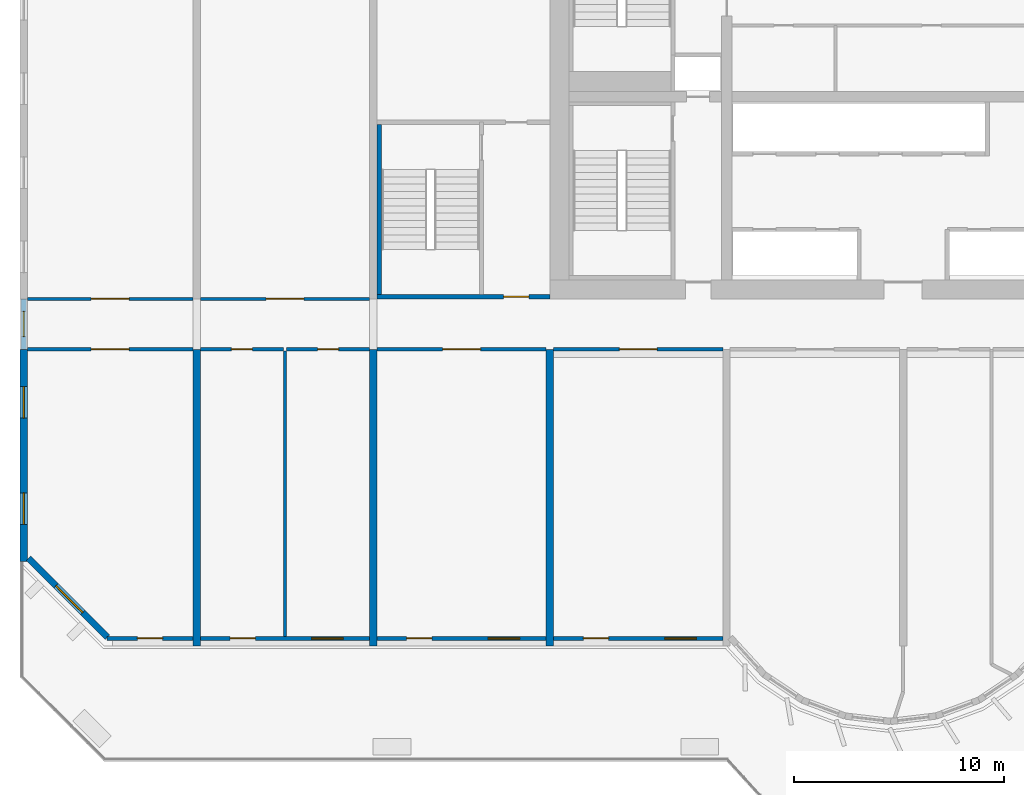
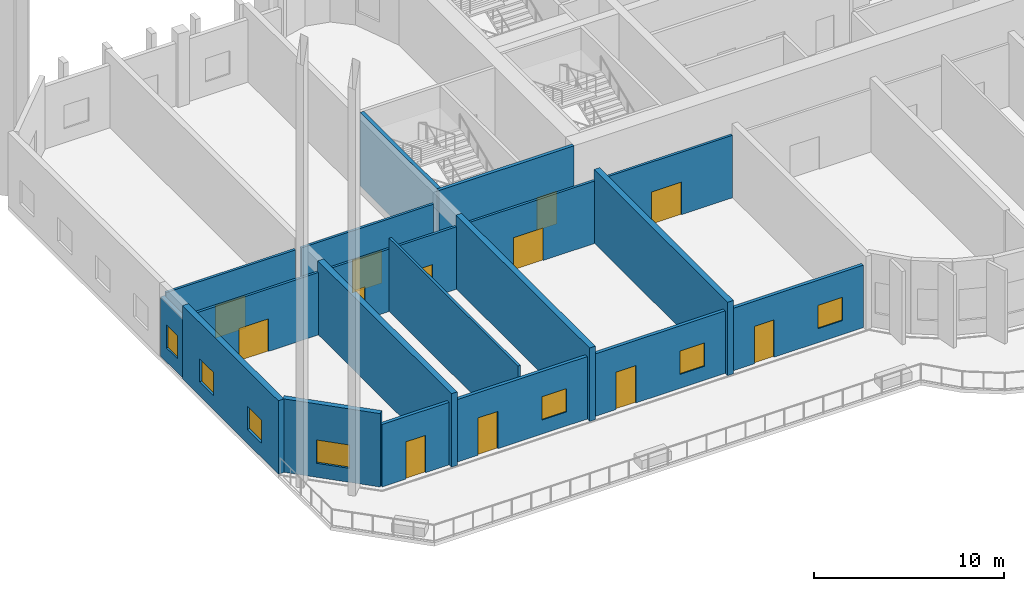
# One storey, part 2 of 13: 20 walls, 12 doors, 7 windows, 19 openings.
"""IFC4 building model written with IfcOpenShell, lengths in metres."""

from ifc_helpers import new_model, si_unit, direction, frame, frame_2d, origin, place, context, subcontext, project, spatial, rectangle, extrude, source, transform, mapped, material, layer, layer_set, type_object, element, fill, save


model = new_model("IFC4")

# Units and contexts
model_context = context("Model", 3, precision=1e-05, world=origin(), true_north=direction((0.0, 1.0)))
body_context = subcontext(model_context, "Body", "Model", "MODEL_VIEW")
ifc_project = project(units=[si_unit("LENGTHUNIT", "METRE"), si_unit("AREAUNIT", "SQUARE_METRE"), si_unit("VOLUMEUNIT", "CUBIC_METRE"), si_unit("PLANEANGLEUNIT", "RADIAN"), si_unit("MASSUNIT", "GRAM", prefix="KILO")], contexts=[model_context])

# Site, building, storey
site_placement = place(None, origin())
site = spatial("IfcSite", under=ifc_project, at=site_placement, CompositionType="ELEMENT")
building_placement = place(site_placement, origin())
building = spatial("IfcBuilding", under=site, at=building_placement, Name="Vanashikhar Sky Hotel", CompositionType="ELEMENT")
storey_placement = place(building_placement, frame((0.0, 0.0, 86.39990234375)))
storey = spatial("IfcBuildingStorey", under=building, at=storey_placement, Name="L20", CompositionType="ELEMENT", Elevation=86.39990234375)

# Wall, openings, windows
ifc_material_1 = material(Name="Concrete M70", Category="concrete")
ifc_layer_1 = layer(ifc_material_1, 0.35009765625)
ifc_layer_set_1 = layer_set([ifc_layer_1], Name="RC shear wall 350 Concrete M70")
wall_type_1 = type_object("IfcWallType", Name="RC shear wall 350 Concrete M70", PredefinedType="SHEAR", material=ifc_layer_set_1)
shared_shape_1 = source(origin(), body_context, "Body", "SweptSolid", [
    extrude(rectangle(XDim=10.10009765625, YDim=0.35009765625, at=frame_2d((5.050048828125, 0.0))), origin(), (0.0, 0.0, 1.0), 4.72021484375),
])
wall_1_placement = place(storey_placement, frame((0.175048828125, 9.5, 0.0), z_axis=(0.0, 0.0, 1.0), x_axis=(0.0, 1.0, 0.0)))
wall_1 = element("IfcWall", 1, at=wall_1_placement, inside=storey, type_object=wall_type_1, Name="CW-L20-XW01-1", PredefinedType="SHEAR", context=body_context, shape_type="MappedRepresentation", body=[
    mapped(shared_shape_1, transform((0.0, 0.0, 0.0), scale=1.0)),
])
shared_shape_2 = source(origin(), body_context, "Body", "SweptSolid", [
    extrude(rectangle(XDim=1.5, YDim=1.5, at=frame_2d((0.75, 0.75))), frame((0.0, 0.18505859375, 0.0), z_axis=(0.0, -1.0, 0.0), x_axis=(1.0, 0.0, 0.0)), (0.0, 0.0, 1.0), 0.3701171875),
])
opening_1_placement = place(wall_1_placement, frame((1.77490234375, 0.0, 0.89990234375)))
opening_1 = element("IfcOpeningElement", 2, at=opening_1_placement, cuts=wall_1, Name="Opening WN-1", PredefinedType="OPENING", context=body_context, shape_type="MappedRepresentation", body=[
    mapped(shared_shape_2, transform((0.0, 0.0, 0.0), scale=1.0)),
])
opening_2_placement = place(wall_1_placement, frame((6.824951171875, 0.0, 0.89990234375)))
opening_2 = element("IfcOpeningElement", 3, at=opening_2_placement, cuts=wall_1, Name="Opening WN-1", PredefinedType="OPENING", context=body_context, shape_type="MappedRepresentation", body=[
    mapped(shared_shape_2, transform((0.0, 0.0, 0.0), scale=1.0)),
])
ifc_material_2 = material(Name="Glass", Category="glass")
window_type_1 = type_object("IfcWindowType", Name="Window 1500 x 1500", PartitioningType="SINGLE_PANEL", PredefinedType="WINDOW", material=ifc_material_2)
shared_shape_3 = source(origin(), body_context, "Body", "SweptSolid", [
    extrude(rectangle(XDim=1.5, YDim=1.5, at=frame_2d((0.75, 0.75))), frame((0.0, 0.030029296875, 0.0), z_axis=(0.0, -1.0, 0.0), x_axis=(1.0, 0.0, 0.0)), (0.0, 0.0, 1.0), 0.06005859375),
])
window_1_placement = place(opening_1_placement, origin())
window_1 = element("IfcWindow", 4, at=window_1_placement, inside=storey, type_object=window_type_1, Name="Window WN-1", OverallHeight=1.5, OverallWidth=1.5, PartitioningType="SINGLE_PANEL", PredefinedType="WINDOW", context=body_context, shape_type="MappedRepresentation", body=[
    mapped(shared_shape_3, transform((0.0, 0.0, 0.0), scale=1.0)),
])
fill(opening_1, window_1)
window_2_placement = place(opening_2_placement, origin())
window_2 = element("IfcWindow", 5, at=window_2_placement, inside=storey, type_object=window_type_1, Name="Window WN-1", OverallHeight=1.5, OverallWidth=1.5, PartitioningType="SINGLE_PANEL", PredefinedType="WINDOW", context=body_context, shape_type="MappedRepresentation", body=[
    mapped(shared_shape_3, transform((0.0, 0.0, 0.0), scale=1.0)),
])
fill(opening_2, window_2)

# Walls
shared_shape_4 = source(origin(), body_context, "Body", "SweptSolid", [
    extrude(rectangle(XDim=14.10009765625, YDim=0.35009765625, at=frame_2d((7.050048828125, 0.0))), origin(), (0.0, 0.0, 1.0), 4.72021484375),
])
for number, where, z_axis, x_axis, name in (
    (6, (8.39990234375, 5.5, 0.0), (0.0, 0.0, 1.0), (0.0, 1.0, 0.0), "CW-L20-XW02-1"),
    (7, (16.800048828125, 5.5, 0.0), (0.0, 0.0, 1.0), (0.0, 1.0, 0.0), "CW-L20-XW03-1"),
    (8, (25.199951171875, 5.5, 0.0), (0.0, 0.0, 1.0), (0.0, 1.0, 0.0), "CW-L20-XW04-1"),
):
    element("IfcWall", number, at=place(storey_placement, frame(where, z_axis=z_axis, x_axis=x_axis)), inside=storey, type_object=wall_type_1, Name=name, PredefinedType="SHEAR", context=body_context, shape_type="MappedRepresentation", body=[
        mapped(shared_shape_4, transform((0.0, 0.0, 0.0), scale=1.0)),
    ])

# Wall, opening, window
ifc_material_3 = material(Name="Concrete M50", Category="concrete")
ifc_layer_2 = layer(ifc_material_3, 0.25)
ifc_layer_set_2 = layer_set([ifc_layer_2], Name="Rear and end board-marked wall 250")
wall_type_2 = type_object("IfcWallType", Name="Rear and end board-marked wall 250", PredefinedType="SOLIDWALL", material=ifc_layer_set_2)
shared_shape_5 = source(origin(), body_context, "Body", "SweptSolid", [
    extrude(rectangle(XDim=2.39990234375, YDim=0.25, at=frame_2d((1.199951171875, 0.0))), origin(), (0.0, 0.0, 1.0), 3.820068359375),
])
wall_2_placement = place(storey_placement, frame((0.175048828125, 19.60009765625, 0.0), z_axis=(0.0, 0.0, 1.0), x_axis=(0.0, 1.0, 0.0)))
wall_2 = element("IfcWall", 9, at=wall_2_placement, inside=storey, type_object=wall_type_2, Name="End corridor infill wall", PredefinedType="SOLIDWALL", context=body_context, shape_type="MappedRepresentation", body=[
    mapped(shared_shape_5, transform((0.0, 0.0, 0.0), scale=1.0)),
])
shared_shape_6 = source(origin(), body_context, "Body", "SweptSolid", [
    extrude(rectangle(XDim=1.199951171875, YDim=1.5, at=frame_2d((0.60009765625, 0.75))), frame((0.0, 0.135009765625, 0.0), z_axis=(0.0, -1.0, 0.0), x_axis=(1.0, 0.0, 0.0)), (0.0, 0.0, 1.0), 0.27001953125),
])
opening_3_placement = place(wall_2_placement, frame((0.60009765625, 0.0, 0.89990234375)))
opening_3 = element("IfcOpeningElement", 10, at=opening_3_placement, cuts=wall_2, Name="Opening WN-3", PredefinedType="OPENING", context=body_context, shape_type="MappedRepresentation", body=[
    mapped(shared_shape_6, transform((0.0, 0.0, 0.0), scale=1.0)),
])
window_type_2 = type_object("IfcWindowType", Name="Corridor end window 1200 x 1500", PartitioningType="SINGLE_PANEL", PredefinedType="WINDOW", material=ifc_material_2)
shared_shape_7 = source(origin(), body_context, "Body", "SweptSolid", [
    extrude(rectangle(XDim=1.199951171875, YDim=1.5, at=frame_2d((0.60009765625, 0.75))), frame((0.0, 0.030029296875, 0.0), z_axis=(0.0, -1.0, 0.0), x_axis=(1.0, 0.0, 0.0)), (0.0, 0.0, 1.0), 0.06005859375),
])
window_3_placement = place(opening_3_placement, origin())
window_3 = element("IfcWindow", 11, at=window_3_placement, inside=storey, type_object=window_type_2, Name="Window WN-3", OverallHeight=1.5, OverallWidth=1.199951171875, PartitioningType="SINGLE_PANEL", PredefinedType="WINDOW", context=body_context, shape_type="MappedRepresentation", body=[
    mapped(shared_shape_7, transform((0.0, 0.0, 0.0), scale=1.0)),
])
fill(opening_3, window_3)

# Wall, opening, door
ifc_layer_3 = layer(ifc_material_3, 0.199951171875)
ifc_layer_set_3 = layer_set([ifc_layer_3], Name="Front window wall 200")
wall_type_3 = type_object("IfcWallType", Name="Front window wall 200", PredefinedType="SOLIDWALL", material=ifc_layer_set_3)
shared_shape_8 = source(origin(), body_context, "Body", "SweptSolid", [
    extrude(rectangle(XDim=4.080078125, YDim=0.199951171875, at=frame_2d((2.0400390625, 0.0))), origin(), (0.0, 0.0, 1.0), 4.02001953125),
])
wall_3_placement = place(storey_placement, frame((4.14501953125, 5.85009765625, 0.0), z_axis=(0.0, 0.0, 1.0), x_axis=(1.0, 0.0, 0.0)))
wall_3 = element("IfcWall", 12, at=wall_3_placement, inside=storey, type_object=wall_type_3, Name="Front window wall", PredefinedType="SOLIDWALL", context=body_context, shape_type="MappedRepresentation", body=[
    mapped(shared_shape_8, transform((0.0, 0.0, 0.0), scale=1.0)),
])
shared_shape_9 = source(origin(), body_context, "Body", "SweptSolid", [
    extrude(rectangle(XDim=1.199951171875, YDim=2.39990234375, at=frame_2d((0.60009765625, 1.199951171875))), frame((0.0, 0.10986328125, 0.0), z_axis=(0.0, -1.0, 0.0), x_axis=(1.0, 0.0, 0.0)), (0.0, 0.0, 1.0), 0.219970703125),
])
opening_4_placement = place(wall_3_placement, frame((1.43994140625, 0.0, 0.0)))
opening_4 = element("IfcOpeningElement", 13, at=opening_4_placement, cuts=wall_3, Name="Opening BD-01", PredefinedType="OPENING", context=body_context, shape_type="MappedRepresentation", body=[
    mapped(shared_shape_9, transform((0.0, 0.0, 0.0), scale=1.0)),
])
ifc_material_4 = material(Name="Aluminium", Category="aluminium")
door_type_1 = type_object("IfcDoorType", Name="Balcony sliding door 1200 x 2400", OperationType="NOTDEFINED", PredefinedType="DOOR", material=ifc_material_4)
shared_shape_10 = source(origin(), body_context, "Body", "SweptSolid", [
    extrude(rectangle(XDim=1.199951171875, YDim=2.39990234375, at=frame_2d((0.60009765625, 1.199951171875))), frame((0.0, 0.02490234375, 0.0), z_axis=(0.0, -1.0, 0.0), x_axis=(1.0, 0.0, 0.0)), (0.0, 0.0, 1.0), 0.050048828125),
])
door_1_placement = place(opening_4_placement, origin())
door_1 = element("IfcDoor", 14, at=door_1_placement, inside=storey, type_object=door_type_1, Name="Balcony sliding door", OperationType="SLIDING_TO_LEFT", OverallHeight=2.39990234375, OverallWidth=1.199951171875, PredefinedType="DOOR", context=body_context, shape_type="MappedRepresentation", body=[
    mapped(shared_shape_10, transform((0.0, 0.0, 0.0), scale=1.0)),
])
fill(opening_4, door_1)

# Wall, openings, window, door
shared_shape_11 = source(origin(), body_context, "Body", "SweptSolid", [
    extrude(rectangle(XDim=8.050048828125, YDim=0.199951171875, at=frame_2d((4.02490234375, 0.0))), origin(), (0.0, 0.0, 1.0), 4.02001953125),
])
wall_4_placement = place(storey_placement, frame((8.574951171875, 5.85009765625, 0.0), z_axis=(0.0, 0.0, 1.0), x_axis=(1.0, 0.0, 0.0)))
wall_4 = element("IfcWall", 15, at=wall_4_placement, inside=storey, type_object=wall_type_3, Name="Front window wall", PredefinedType="SOLIDWALL", context=body_context, shape_type="MappedRepresentation", body=[
    mapped(shared_shape_11, transform((0.0, 0.0, 0.0), scale=1.0)),
])
shared_shape_12 = source(origin(), body_context, "Body", "SweptSolid", [
    extrude(rectangle(XDim=1.5, YDim=1.5, at=frame_2d((0.75, 0.75))), frame((0.0, 0.10986328125, 0.0), z_axis=(0.0, -1.0, 0.0), x_axis=(1.0, 0.0, 0.0)), (0.0, 0.0, 1.0), 0.219970703125),
])
opening_5_placement = place(wall_4_placement, frame((5.28759765625, 0.0, 0.89990234375)))
opening_5 = element("IfcOpeningElement", 16, at=opening_5_placement, cuts=wall_4, Name="Opening WN-1", PredefinedType="OPENING", context=body_context, shape_type="MappedRepresentation", body=[
    mapped(shared_shape_12, transform((0.0, 0.0, 0.0), scale=1.0)),
])
opening_6_placement = place(wall_4_placement, frame((1.41259765625, 0.0, 0.0)))
opening_6 = element("IfcOpeningElement", 17, at=opening_6_placement, cuts=wall_4, Name="Opening BD-02", PredefinedType="OPENING", context=body_context, shape_type="MappedRepresentation", body=[
    mapped(shared_shape_9, transform((0.0, 0.0, 0.0), scale=1.0)),
])
window_4_placement = place(opening_5_placement, origin())
window_4 = element("IfcWindow", 18, at=window_4_placement, inside=storey, type_object=window_type_1, Name="Window WN-1", OverallHeight=1.5, OverallWidth=1.5, PartitioningType="SINGLE_PANEL", PredefinedType="WINDOW", context=body_context, shape_type="MappedRepresentation", body=[
    mapped(shared_shape_3, transform((0.0, 0.0, 0.0), scale=1.0)),
])
fill(opening_5, window_4)
door_2_placement = place(opening_6_placement, origin())
door_2 = element("IfcDoor", 19, at=door_2_placement, inside=storey, type_object=door_type_1, Name="Balcony sliding door", OperationType="SLIDING_TO_RIGHT", OverallHeight=2.39990234375, OverallWidth=1.199951171875, PredefinedType="DOOR", context=body_context, shape_type="MappedRepresentation", body=[
    mapped(shared_shape_10, transform((0.0, 0.0, 0.0), scale=1.0)),
])
fill(opening_6, door_2)

wall_5_placement = place(storey_placement, frame((25.375, 5.85009765625, 0.0), z_axis=(0.0, 0.0, 1.0), x_axis=(1.0, 0.0, 0.0)))
wall_5 = element("IfcWall", 20, at=wall_5_placement, inside=storey, type_object=wall_type_3, Name="Front window wall", PredefinedType="SOLIDWALL", context=body_context, shape_type="MappedRepresentation", body=[
    mapped(shared_shape_11, transform((0.0, 0.0, 0.0), scale=1.0)),
])
opening_7_placement = place(wall_5_placement, frame((5.28759765625, 0.0, 0.89990234375)))
opening_7 = element("IfcOpeningElement", 21, at=opening_7_placement, cuts=wall_5, Name="Opening WN-1", PredefinedType="OPENING", context=body_context, shape_type="MappedRepresentation", body=[
    mapped(shared_shape_12, transform((0.0, 0.0, 0.0), scale=1.0)),
])
opening_8_placement = place(wall_5_placement, frame((1.41259765625, 0.0, 0.0)))
opening_8 = element("IfcOpeningElement", 22, at=opening_8_placement, cuts=wall_5, Name="Opening BD-04", PredefinedType="OPENING", context=body_context, shape_type="MappedRepresentation", body=[
    mapped(shared_shape_9, transform((0.0, 0.0, 0.0), scale=1.0)),
])
window_5_placement = place(opening_7_placement, origin())
window_5 = element("IfcWindow", 23, at=window_5_placement, inside=storey, type_object=window_type_1, Name="Window WN-1", OverallHeight=1.5, OverallWidth=1.5, PartitioningType="SINGLE_PANEL", PredefinedType="WINDOW", context=body_context, shape_type="MappedRepresentation", body=[
    mapped(shared_shape_3, transform((0.0, 0.0, 0.0), scale=1.0)),
])
fill(opening_7, window_5)
door_3_placement = place(opening_8_placement, origin())
door_3 = element("IfcDoor", 24, at=door_3_placement, inside=storey, type_object=door_type_1, Name="Balcony sliding door", OperationType="SLIDING_TO_RIGHT", OverallHeight=2.39990234375, OverallWidth=1.199951171875, PredefinedType="DOOR", context=body_context, shape_type="MappedRepresentation", body=[
    mapped(shared_shape_10, transform((0.0, 0.0, 0.0), scale=1.0)),
])
fill(opening_8, door_3)

shared_shape_13 = source(origin(), body_context, "Body", "SweptSolid", [
    extrude(rectangle(XDim=8.0498046875, YDim=0.199951171875, at=frame_2d((4.02490234375, 0.0))), origin(), (0.0, 0.0, 1.0), 4.02001953125),
])
wall_6_placement = place(storey_placement, frame((16.97509765625, 5.85009765625, 0.0), z_axis=(0.0, 0.0, 1.0), x_axis=(1.0, 0.0, 0.0)))
wall_6 = element("IfcWall", 25, at=wall_6_placement, inside=storey, type_object=wall_type_3, Name="Front window wall", PredefinedType="SOLIDWALL", context=body_context, shape_type="MappedRepresentation", body=[
    mapped(shared_shape_13, transform((0.0, 0.0, 0.0), scale=1.0)),
])
opening_9_placement = place(wall_6_placement, frame((5.28759765625, 0.0, 0.89990234375)))
opening_9 = element("IfcOpeningElement", 26, at=opening_9_placement, cuts=wall_6, Name="Opening WN-1", PredefinedType="OPENING", context=body_context, shape_type="MappedRepresentation", body=[
    mapped(shared_shape_12, transform((0.0, 0.0, 0.0), scale=1.0)),
])
opening_10_placement = place(wall_6_placement, frame((1.41259765625, 0.0, 0.0)))
opening_10 = element("IfcOpeningElement", 27, at=opening_10_placement, cuts=wall_6, Name="Opening BD-03", PredefinedType="OPENING", context=body_context, shape_type="MappedRepresentation", body=[
    mapped(shared_shape_9, transform((0.0, 0.0, 0.0), scale=1.0)),
])
window_6_placement = place(opening_9_placement, origin())
window_6 = element("IfcWindow", 28, at=window_6_placement, inside=storey, type_object=window_type_1, Name="Window WN-1", OverallHeight=1.5, OverallWidth=1.5, PartitioningType="SINGLE_PANEL", PredefinedType="WINDOW", context=body_context, shape_type="MappedRepresentation", body=[
    mapped(shared_shape_3, transform((0.0, 0.0, 0.0), scale=1.0)),
])
fill(opening_9, window_6)
door_4_placement = place(opening_10_placement, origin())
door_4 = element("IfcDoor", 29, at=door_4_placement, inside=storey, type_object=door_type_1, Name="Balcony sliding door", OperationType="SLIDING_TO_LEFT", OverallHeight=2.39990234375, OverallWidth=1.199951171875, PredefinedType="DOOR", context=body_context, shape_type="MappedRepresentation", body=[
    mapped(shared_shape_10, transform((0.0, 0.0, 0.0), scale=1.0)),
])
fill(opening_10, door_4)

# Wall, opening, window
ifc_layer_4 = layer(ifc_material_3, 0.300048828125)
ifc_layer_set_4 = layer_set([ifc_layer_4], Name="Lobe wall 300")
wall_type_4 = type_object("IfcWallType", Name="Lobe wall 300", PredefinedType="SOLIDWALL", material=ifc_layer_set_4)
shared_shape_14 = source(origin(), body_context, "Body", "SweptSolid", [
    extrude(rectangle(XDim=5.32568359375, YDim=0.300048828125, at=frame_2d((2.662841796875, 0.0))), origin(), (0.0, 0.0, 1.0), 4.72021484375),
])
wall_7_placement = place(storey_placement, frame((0.39990234375, 9.665771484375, 0.0), z_axis=(0.0, 0.0, 1.0), x_axis=(0.707106781187, -0.707106781187, 0.0)))
wall_7 = element("IfcWall", 30, at=wall_7_placement, inside=storey, type_object=wall_type_4, Name="Corner wall", PredefinedType="SOLIDWALL", context=body_context, shape_type="MappedRepresentation", body=[
    mapped(shared_shape_14, transform((0.0, 0.0, 0.0), scale=1.0)),
])
shared_shape_15 = source(origin(), body_context, "Body", "SweptSolid", [
    extrude(rectangle(XDim=1.800048828125, YDim=1.5, at=frame_2d((0.89990234375, 0.75))), frame((0.0, 0.16015625, 0.0), z_axis=(0.0, -1.0, 0.0), x_axis=(1.0, 0.0, 0.0)), (0.0, 0.0, 1.0), 0.320068359375),
])
opening_11_placement = place(wall_7_placement, frame((1.853759765625, 0.0, 0.89990234375)))
opening_11 = element("IfcOpeningElement", 31, at=opening_11_placement, cuts=wall_7, Name="Opening WN-4", PredefinedType="OPENING", context=body_context, shape_type="MappedRepresentation", body=[
    mapped(shared_shape_15, transform((0.0, 0.0, 0.0), scale=1.0)),
])
window_type_3 = type_object("IfcWindowType", Name="Corner window 1800 x 1500", PartitioningType="SINGLE_PANEL", PredefinedType="WINDOW", material=ifc_material_2)
shared_shape_16 = source(origin(), body_context, "Body", "SweptSolid", [
    extrude(rectangle(XDim=1.800048828125, YDim=1.5, at=frame_2d((0.89990234375, 0.75))), frame((0.0, 0.030029296875, 0.0), z_axis=(0.0, -1.0, 0.0), x_axis=(1.0, 0.0, 0.0)), (0.0, 0.0, 1.0), 0.06005859375),
])
window_7_placement = place(opening_11_placement, origin())
window_7 = element("IfcWindow", 32, at=window_7_placement, inside=storey, type_object=window_type_3, Name="Window WN-4", OverallHeight=1.5, OverallWidth=1.800048828125, PartitioningType="SINGLE_PANEL", PredefinedType="WINDOW", context=body_context, shape_type="MappedRepresentation", body=[
    mapped(shared_shape_16, transform((0.0, 0.0, 0.0), scale=1.0)),
])
fill(opening_11, window_7)

# Wall, opening, door
ifc_layer_5 = layer(ifc_material_3, 0.199951171875)
ifc_layer_set_5 = layer_set([ifc_layer_5], Name="Stair wall 200")
wall_type_5 = type_object("IfcWallType", Name="Stair wall 200", PredefinedType="SOLIDWALL", material=ifc_layer_set_5)
shared_shape_17 = source(origin(), body_context, "Body", "SweptSolid", [
    extrude(rectangle(XDim=8.224853515625, YDim=0.199951171875, at=frame_2d((4.1123046875, 0.0))), origin(), (0.0, 0.0, 1.0), 4.72021484375),
])
wall_8_placement = place(storey_placement, frame((16.97509765625, 22.10009765625, 0.0), z_axis=(0.0, 0.0, 1.0), x_axis=(1.0, 0.0, 0.0)))
wall_8 = element("IfcWall", 33, at=wall_8_placement, inside=storey, type_object=wall_type_5, Name="Stair wall 200", PredefinedType="SOLIDWALL", context=body_context, shape_type="MappedRepresentation", body=[
    mapped(shared_shape_17, transform((0.0, 0.0, 0.0), scale=1.0)),
])
shared_shape_18 = source(origin(), body_context, "Body", "SweptSolid", [
    extrude(rectangle(XDim=1.199951171875, YDim=2.10009765625, at=frame_2d((0.60009765625, 1.050048828125))), frame((0.0, 0.10986328125, 0.0), z_axis=(0.0, -1.0, 0.0), x_axis=(1.0, 0.0, 0.0)), (0.0, 0.0, 1.0), 0.219970703125),
])
opening_12_placement = place(wall_8_placement, frame((6.02490234375, 0.0, 0.0)))
opening_12 = element("IfcOpeningElement", 34, at=opening_12_placement, cuts=wall_8, Name="Opening DC-2", PredefinedType="OPENING", context=body_context, shape_type="MappedRepresentation", body=[
    mapped(shared_shape_18, transform((0.0, 0.0, 0.0), scale=1.0)),
])
ifc_material_5 = material(Name="Steel", Category="steel")
door_type_2 = type_object("IfcDoorType", Name="Firefighting lobby door 1200 FD120", OperationType="NOTDEFINED", PredefinedType="DOOR", material=ifc_material_5)
shared_shape_19 = source(origin(), body_context, "Body", "SweptSolid", [
    extrude(rectangle(XDim=1.199951171875, YDim=2.10009765625, at=frame_2d((0.60009765625, 1.050048828125))), frame((0.0, 0.02490234375, 0.0), z_axis=(0.0, -1.0, 0.0), x_axis=(1.0, 0.0, 0.0)), (0.0, 0.0, 1.0), 0.050048828125),
])
door_5_placement = place(opening_12_placement, origin())
door_5 = element("IfcDoor", 35, at=door_5_placement, inside=storey, type_object=door_type_2, Name="Firefighting lobby door 1200 FD120", OperationType="SINGLE_SWING_LEFT", OverallHeight=2.10009765625, OverallWidth=1.199951171875, PredefinedType="DOOR", context=body_context, shape_type="MappedRepresentation", body=[
    mapped(shared_shape_19, transform((0.0, 0.0, 0.0), scale=1.0)),
])
fill(opening_12, door_5)

# Wall
ifc_layer_6 = layer(ifc_material_3, 0.22509765625)
ifc_layer_set_6 = layer_set([ifc_layer_6], Name="Stair infill wall 225")
wall_type_6 = type_object("IfcWallType", Name="Stair infill wall 225", PredefinedType="SOLIDWALL", material=ifc_layer_set_6)
shared_shape_20 = source(origin(), body_context, "Body", "SweptSolid", [
    extrude(rectangle(XDim=8.10009765625, YDim=0.22509765625, at=frame_2d((4.050048828125, 0.0))), origin(), (0.0, 0.0, 1.0), 4.72021484375),
])
wall_9_placement = place(storey_placement, frame((17.0869140625, 22.199951171875, 0.0), z_axis=(0.0, 0.0, 1.0), x_axis=(0.0, 1.0, 0.0)))
element("IfcWall", 36, at=wall_9_placement, inside=storey, type_object=wall_type_6, Name="Stair infill wall 225", PredefinedType="SOLIDWALL", context=body_context, shape_type="MappedRepresentation", body=[
    mapped(shared_shape_20, transform((0.0, 0.0, 0.0), scale=1.0)),
])

# Wall, opening, door
ifc_material_6 = material(Name="Gypsum plasterboard partition")
ifc_layer_7 = layer(ifc_material_6, 0.14990234375)
ifc_layer_set_7 = layer_set([ifc_layer_7], Name="Corridor and demising partition 150")
wall_type_7 = type_object("IfcWallType", Name="Corridor and demising partition 150", PredefinedType="PARTITIONING", material=ifc_layer_set_7)
shared_shape_21 = source(origin(), body_context, "Body", "SweptSolid", [
    extrude(rectangle(XDim=7.875, YDim=0.14990234375, at=frame_2d((3.9375, 0.0))), origin(), (0.0, 0.0, 1.0), 4.02001953125),
])
wall_10_placement = place(storey_placement, frame((0.35009765625, 19.60009765625, 0.0), z_axis=(0.0, 0.0, 1.0), x_axis=(1.0, 0.0, 0.0)))
wall_10 = element("IfcWall", 37, at=wall_10_placement, inside=storey, type_object=wall_type_7, Name="W-L20-PW001", PredefinedType="PARTITIONING", context=body_context, shape_type="MappedRepresentation", body=[
    mapped(shared_shape_21, transform((0.0, 0.0, 0.0), scale=1.0)),
])
shared_shape_22 = source(origin(), body_context, "Body", "SweptSolid", [
    extrude(rectangle(XDim=1.800048828125, YDim=2.10009765625, at=frame_2d((0.89990234375, 1.050048828125))), frame((0.0, 0.0849609375, 0.0), z_axis=(0.0, -1.0, 0.0), x_axis=(1.0, 0.0, 0.0)), (0.0, 0.0, 1.0), 0.169921875),
])
opening_13_placement = place(wall_10_placement, frame((3.037109375, 0.0, 0.0)))
opening_13 = element("IfcOpeningElement", 38, at=opening_13_placement, cuts=wall_10, Name="Opening D-03", PredefinedType="OPENING", context=body_context, shape_type="MappedRepresentation", body=[
    mapped(shared_shape_22, transform((0.0, 0.0, 0.0), scale=1.0)),
])
ifc_material_7 = material(Name="Timber fire door", Category="wood")
door_type_3 = type_object("IfcDoorType", Name="Double leaf door 1800 FD30S", OperationType="NOTDEFINED", PredefinedType="DOOR", material=ifc_material_7)
shared_shape_23 = source(origin(), body_context, "Body", "SweptSolid", [
    extrude(rectangle(XDim=1.800048828125, YDim=2.10009765625, at=frame_2d((0.89990234375, 1.050048828125))), frame((0.0, 0.02490234375, 0.0), z_axis=(0.0, -1.0, 0.0), x_axis=(1.0, 0.0, 0.0)), (0.0, 0.0, 1.0), 0.050048828125),
])
door_6_placement = place(opening_13_placement, origin())
door_6 = element("IfcDoor", 39, at=door_6_placement, inside=storey, type_object=door_type_3, Name="D-L20-001", OperationType="DOUBLE_DOOR_SINGLE_SWING", OverallHeight=2.10009765625, OverallWidth=1.800048828125, PredefinedType="DOOR", context=body_context, shape_type="MappedRepresentation", body=[
    mapped(shared_shape_23, transform((0.0, 0.0, 0.0), scale=1.0)),
])
fill(opening_13, door_6)

wall_11_placement = place(storey_placement, frame((0.35009765625, 22.0, 0.0), z_axis=(0.0, 0.0, 1.0), x_axis=(1.0, 0.0, 0.0)))
wall_11 = element("IfcWall", 40, at=wall_11_placement, inside=storey, type_object=wall_type_7, Name="W-L20-PW021", PredefinedType="PARTITIONING", context=body_context, shape_type="MappedRepresentation", body=[
    mapped(shared_shape_21, transform((0.0, 0.0, 0.0), scale=1.0)),
])
opening_14_placement = place(wall_11_placement, frame((3.037109375, 0.0, 0.0)))
opening_14 = element("IfcOpeningElement", 41, at=opening_14_placement, cuts=wall_11, Name="Opening D-03", PredefinedType="OPENING", context=body_context, shape_type="MappedRepresentation", body=[
    mapped(shared_shape_22, transform((0.0, 0.0, 0.0), scale=1.0)),
])
door_7_placement = place(opening_14_placement, origin())
door_7 = element("IfcDoor", 42, at=door_7_placement, inside=storey, type_object=door_type_3, Name="D-L20-016", OperationType="DOUBLE_DOOR_SINGLE_SWING", OverallHeight=2.10009765625, OverallWidth=1.800048828125, PredefinedType="DOOR", context=body_context, shape_type="MappedRepresentation", body=[
    mapped(shared_shape_23, transform((0.0, 0.0, 0.0), scale=1.0)),
])
fill(opening_14, door_7)

shared_shape_24 = source(origin(), body_context, "Body", "SweptSolid", [
    extrude(rectangle(XDim=3.949951171875, YDim=0.14990234375, at=frame_2d((1.97509765625, 0.0))), origin(), (0.0, 0.0, 1.0), 4.02001953125),
])
wall_12_placement = place(storey_placement, frame((8.574951171875, 19.60009765625, 0.0), z_axis=(0.0, 0.0, 1.0), x_axis=(1.0, 0.0, 0.0)))
wall_12 = element("IfcWall", 43, at=wall_12_placement, inside=storey, type_object=wall_type_7, Name="W-L20-PW002", PredefinedType="PARTITIONING", context=body_context, shape_type="MappedRepresentation", body=[
    mapped(shared_shape_24, transform((0.0, 0.0, 0.0), scale=1.0)),
])
shared_shape_25 = source(origin(), body_context, "Body", "SweptSolid", [
    extrude(rectangle(XDim=1.0, YDim=2.10009765625, at=frame_2d((0.5, 1.050048828125))), frame((0.0, 0.0849609375, 0.0), z_axis=(0.0, -1.0, 0.0), x_axis=(1.0, 0.0, 0.0)), (0.0, 0.0, 1.0), 0.169921875),
])
opening_15_placement = place(wall_12_placement, frame((1.47509765625, 0.0, 0.0)))
opening_15 = element("IfcOpeningElement", 44, at=opening_15_placement, cuts=wall_12, Name="Opening D-01", PredefinedType="OPENING", context=body_context, shape_type="MappedRepresentation", body=[
    mapped(shared_shape_25, transform((0.0, 0.0, 0.0), scale=1.0)),
])
door_type_4 = type_object("IfcDoorType", Name="Guest entry door 1000 FD30S", OperationType="NOTDEFINED", PredefinedType="DOOR", material=ifc_material_7)
shared_shape_26 = source(origin(), body_context, "Body", "SweptSolid", [
    extrude(rectangle(XDim=1.0, YDim=2.10009765625, at=frame_2d((0.5, 1.050048828125))), frame((0.0, 0.02490234375, 0.0), z_axis=(0.0, -1.0, 0.0), x_axis=(1.0, 0.0, 0.0)), (0.0, 0.0, 1.0), 0.050048828125),
])
door_8_placement = place(opening_15_placement, origin())
door_8 = element("IfcDoor", 45, at=door_8_placement, inside=storey, type_object=door_type_4, Name="D-L20-002", OperationType="SINGLE_SWING_LEFT", OverallHeight=2.10009765625, OverallWidth=1.0, PredefinedType="DOOR", context=body_context, shape_type="MappedRepresentation", body=[
    mapped(shared_shape_26, transform((0.0, 0.0, 0.0), scale=1.0)),
])
fill(opening_15, door_8)

wall_13_placement = place(storey_placement, frame((12.675048828125, 19.60009765625, 0.0), z_axis=(0.0, 0.0, 1.0), x_axis=(1.0, 0.0, 0.0)))
wall_13 = element("IfcWall", 46, at=wall_13_placement, inside=storey, type_object=wall_type_7, Name="W-L20-PW003", PredefinedType="PARTITIONING", context=body_context, shape_type="MappedRepresentation", body=[
    mapped(shared_shape_24, transform((0.0, 0.0, 0.0), scale=1.0)),
])
opening_16_placement = place(wall_13_placement, frame((1.47509765625, 0.0, 0.0)))
opening_16 = element("IfcOpeningElement", 47, at=opening_16_placement, cuts=wall_13, Name="Opening D-01", PredefinedType="OPENING", context=body_context, shape_type="MappedRepresentation", body=[
    mapped(shared_shape_25, transform((0.0, 0.0, 0.0), scale=1.0)),
])
door_9_placement = place(opening_16_placement, origin())
door_9 = element("IfcDoor", 48, at=door_9_placement, inside=storey, type_object=door_type_4, Name="D-L20-003", OperationType="SINGLE_SWING_RIGHT", OverallHeight=2.10009765625, OverallWidth=1.0, PredefinedType="DOOR", context=body_context, shape_type="MappedRepresentation", body=[
    mapped(shared_shape_26, transform((0.0, 0.0, 0.0), scale=1.0)),
])
fill(opening_16, door_9)

# Wall
shared_shape_27 = source(origin(), body_context, "Body", "SweptSolid", [
    extrude(rectangle(XDim=13.574951171875, YDim=0.14990234375, at=frame_2d((6.78759765625, 0.0))), origin(), (0.0, 0.0, 1.0), 4.72021484375),
])
wall_14_placement = place(storey_placement, frame((12.60009765625, 5.949951171875, 0.0), z_axis=(0.0, 0.0, 1.0), x_axis=(0.0, 1.0, 0.0)))
element("IfcWall", 49, at=wall_14_placement, inside=storey, type_object=wall_type_7, Name="W-L20-PW004", PredefinedType="PARTITIONING", context=body_context, shape_type="MappedRepresentation", body=[
    mapped(shared_shape_27, transform((0.0, 0.0, 0.0), scale=1.0)),
])

# Wall, opening, door
shared_shape_28 = source(origin(), body_context, "Body", "SweptSolid", [
    extrude(rectangle(XDim=8.0498046875, YDim=0.14990234375, at=frame_2d((4.02490234375, 0.0))), origin(), (0.0, 0.0, 1.0), 4.02001953125),
])
wall_15_placement = place(storey_placement, frame((16.97509765625, 19.60009765625, 0.0), z_axis=(0.0, 0.0, 1.0), x_axis=(1.0, 0.0, 0.0)))
wall_15 = element("IfcWall", 50, at=wall_15_placement, inside=storey, type_object=wall_type_7, Name="W-L20-PW005", PredefinedType="PARTITIONING", context=body_context, shape_type="MappedRepresentation", body=[
    mapped(shared_shape_28, transform((0.0, 0.0, 0.0), scale=1.0)),
])
opening_17_placement = place(wall_15_placement, frame((3.125, 0.0, 0.0)))
opening_17 = element("IfcOpeningElement", 51, at=opening_17_placement, cuts=wall_15, Name="Opening D-03", PredefinedType="OPENING", context=body_context, shape_type="MappedRepresentation", body=[
    mapped(shared_shape_22, transform((0.0, 0.0, 0.0), scale=1.0)),
])
door_10_placement = place(opening_17_placement, origin())
door_10 = element("IfcDoor", 52, at=door_10_placement, inside=storey, type_object=door_type_3, Name="D-L20-004", OperationType="DOUBLE_DOOR_SINGLE_SWING", OverallHeight=2.10009765625, OverallWidth=1.800048828125, PredefinedType="DOOR", context=body_context, shape_type="MappedRepresentation", body=[
    mapped(shared_shape_23, transform((0.0, 0.0, 0.0), scale=1.0)),
])
fill(opening_17, door_10)

shared_shape_29 = source(origin(), body_context, "Body", "SweptSolid", [
    extrude(rectangle(XDim=8.050048828125, YDim=0.14990234375, at=frame_2d((4.02490234375, 0.0))), origin(), (0.0, 0.0, 1.0), 4.02001953125),
])
wall_16_placement = place(storey_placement, frame((25.375, 19.60009765625, 0.0), z_axis=(0.0, 0.0, 1.0), x_axis=(1.0, 0.0, 0.0)))
wall_16 = element("IfcWall", 53, at=wall_16_placement, inside=storey, type_object=wall_type_7, Name="W-L20-PW006", PredefinedType="PARTITIONING", context=body_context, shape_type="MappedRepresentation", body=[
    mapped(shared_shape_29, transform((0.0, 0.0, 0.0), scale=1.0)),
])
opening_18_placement = place(wall_16_placement, frame((3.125, 0.0, 0.0)))
opening_18 = element("IfcOpeningElement", 54, at=opening_18_placement, cuts=wall_16, Name="Opening D-03", PredefinedType="OPENING", context=body_context, shape_type="MappedRepresentation", body=[
    mapped(shared_shape_22, transform((0.0, 0.0, 0.0), scale=1.0)),
])
door_11_placement = place(opening_18_placement, origin())
door_11 = element("IfcDoor", 55, at=door_11_placement, inside=storey, type_object=door_type_3, Name="D-L20-005", OperationType="DOUBLE_DOOR_SINGLE_SWING", OverallHeight=2.10009765625, OverallWidth=1.800048828125, PredefinedType="DOOR", context=body_context, shape_type="MappedRepresentation", body=[
    mapped(shared_shape_23, transform((0.0, 0.0, 0.0), scale=1.0)),
])
fill(opening_18, door_11)

wall_17_placement = place(storey_placement, frame((8.574951171875, 22.0, 0.0), z_axis=(0.0, 0.0, 1.0), x_axis=(1.0, 0.0, 0.0)))
wall_17 = element("IfcWall", 56, at=wall_17_placement, inside=storey, type_object=wall_type_7, Name="W-L20-PW022", PredefinedType="PARTITIONING", context=body_context, shape_type="MappedRepresentation", body=[
    mapped(shared_shape_29, transform((0.0, 0.0, 0.0), scale=1.0)),
])
opening_19_placement = place(wall_17_placement, frame((3.125, 0.0, 0.0)))
opening_19 = element("IfcOpeningElement", 57, at=opening_19_placement, cuts=wall_17, Name="Opening D-03", PredefinedType="OPENING", context=body_context, shape_type="MappedRepresentation", body=[
    mapped(shared_shape_22, transform((0.0, 0.0, 0.0), scale=1.0)),
])
door_12_placement = place(opening_19_placement, origin())
door_12 = element("IfcDoor", 58, at=door_12_placement, inside=storey, type_object=door_type_3, Name="D-L20-017", OperationType="DOUBLE_DOOR_SINGLE_SWING", OverallHeight=2.10009765625, OverallWidth=1.800048828125, PredefinedType="DOOR", context=body_context, shape_type="MappedRepresentation", body=[
    mapped(shared_shape_23, transform((0.0, 0.0, 0.0), scale=1.0)),
])
fill(opening_19, door_12)

save(model, "model.ifc")
